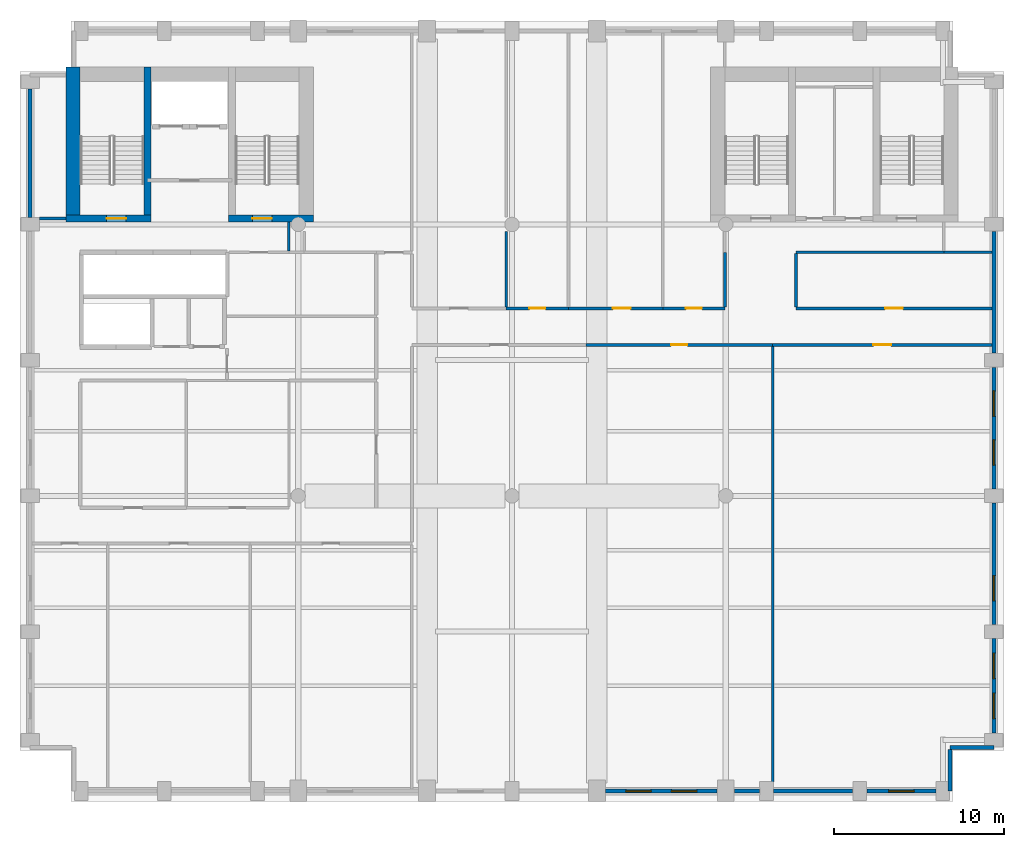
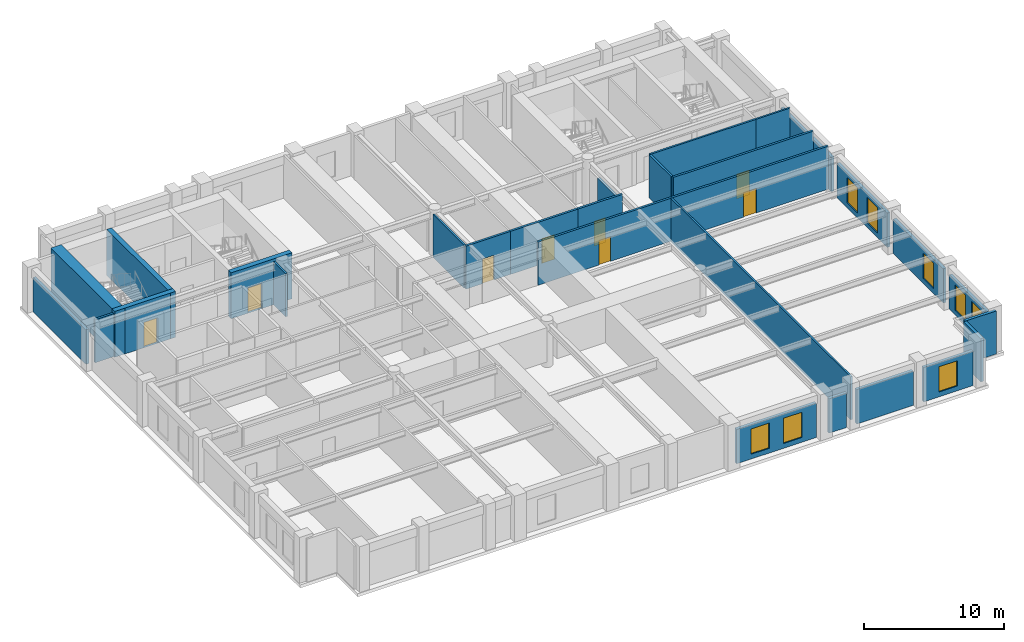
# One storey, part 4 of 8: 29 walls, 8 doors, 8 windows, 16 openings.
"""IFC4 building model written with IfcOpenShell, lengths in metres."""

from ifc_helpers import new_model, si_unit, direction, frame, frame_2d, origin, place, context, subcontext, project, spatial, rectangle, extrude, material, layer, layer_set, type_object, element, fill, save


model = new_model("IFC4")

# Units and contexts
model_context = context("Model", 3, precision=1e-05, world=origin(), true_north=direction((0.0, 1.0)))
body_context = subcontext(model_context, "Body", "Model", "MODEL_VIEW")
ifc_project = project(units=[si_unit("LENGTHUNIT", "METRE"), si_unit("AREAUNIT", "SQUARE_METRE"), si_unit("VOLUMEUNIT", "CUBIC_METRE"), si_unit("PLANEANGLEUNIT", "RADIAN"), si_unit("MASSUNIT", "GRAM", prefix="KILO")], contexts=[model_context])

# Site, building, storey
site_placement = place(None, origin())
site = spatial("IfcSite", under=ifc_project, at=site_placement, CompositionType="ELEMENT")
building_placement = place(site_placement, origin())
building = spatial("IfcBuilding", under=site, at=building_placement, Name="Sulina Concourse Tower", CompositionType="ELEMENT")
storey_placement = place(building_placement, frame((0.0, 0.0, 178.60009765625)))
storey = spatial("IfcBuildingStorey", under=building, at=storey_placement, Name="L43", CompositionType="ELEMENT", Elevation=178.60009765625)

# Wall, openings, windows
ifc_material_1 = material(Name="Precast concrete C50/60", Category="concrete")
ifc_layer_1 = layer(ifc_material_1, 0.239990234375)
ifc_layer_set_1 = layer_set([ifc_layer_1], Name="Precast concrete C50/60")
wall_type_1 = type_object("IfcWallType", Name="Crown Precast Masonry-Frame Facade Wall 240mm", PredefinedType="SOLIDWALL", material=ifc_layer_set_1)
wall_1_placement = place(storey_placement, frame((41.080078125, 0.60009765625, 0.0), z_axis=(0.0, 0.0, 1.0), x_axis=(-1.0, 0.0, 0.0)))
wall_1 = element("IfcWall", 1, at=wall_1_placement, inside=storey, type_object=wall_type_1, Name="L43 exterior precast wall S7", PredefinedType="SOLIDWALL", context=body_context, shape_type="SweptSolid", body=[
    extrude(rectangle(XDim=6.56005859375, YDim=0.239990234375, at=frame_2d((3.280029296875, 0.0))), origin(), (0.0, 0.0, 1.0), 3.0),
])
opening_1_placement = place(wall_1_placement, frame((1.186767578125, 0.0, 0.419921875)))
opening_1 = element("IfcOpeningElement", 2, at=opening_1_placement, cuts=wall_1, Name="Opening WN-71", PredefinedType="OPENING", context=body_context, shape_type="SweptSolid", body=[
    extrude(rectangle(XDim=1.5, YDim=2.199951171875, at=frame_2d((0.75, 1.10009765625))), frame((0.0, 0.1298828125, 0.0), z_axis=(0.0, -1.0, 0.0), x_axis=(1.0, 0.0, 0.0)), (0.0, 0.0, 1.0), 0.260009765625),
])
opening_2_placement = place(wall_1_placement, frame((3.873291015625, 0.0, 0.419921875)))
opening_2 = element("IfcOpeningElement", 3, at=opening_2_placement, cuts=wall_1, Name="Opening WN-71", PredefinedType="OPENING", context=body_context, shape_type="SweptSolid", body=[
    extrude(rectangle(XDim=1.5, YDim=2.199951171875, at=frame_2d((0.75, 1.10009765625))), frame((0.0, 0.1298828125, 0.0), z_axis=(0.0, -1.0, 0.0), x_axis=(1.0, 0.0, 0.0)), (0.0, 0.0, 1.0), 0.260009765625),
])
ifc_material_2 = material(Name="Low-E solar double glazing in bronze aluminium", Category="aluminium")
window_type = type_object("IfcWindowType", Name="Punched Masonry-Frame Window 1500x2200", PartitioningType="SINGLE_PANEL", PredefinedType="WINDOW", material=ifc_material_2)
window_1_placement = place(opening_1_placement, origin())
window_1 = element("IfcWindow", 4, at=window_1_placement, inside=storey, type_object=window_type, Name="L43 punched window S7-1", OverallHeight=2.199951171875, OverallWidth=1.5, PartitioningType="SINGLE_PANEL", PredefinedType="WINDOW", context=body_context, shape_type="SweptSolid", body=[
    extrude(rectangle(XDim=1.5, YDim=2.199951171875, at=frame_2d((0.75, 1.10009765625))), frame((0.0, 0.030029296875, 0.0), z_axis=(0.0, -1.0, 0.0), x_axis=(1.0, 0.0, 0.0)), (0.0, 0.0, 1.0), 0.06005859375),
])
fill(opening_1, window_1)
window_2_placement = place(opening_2_placement, origin())
window_2 = element("IfcWindow", 5, at=window_2_placement, inside=storey, type_object=window_type, Name="L43 punched window S7-2", OverallHeight=2.199951171875, OverallWidth=1.5, PartitioningType="SINGLE_PANEL", PredefinedType="WINDOW", context=body_context, shape_type="SweptSolid", body=[
    extrude(rectangle(XDim=1.5, YDim=2.199951171875, at=frame_2d((0.75, 1.10009765625))), frame((0.0, 0.030029296875, 0.0), z_axis=(0.0, -1.0, 0.0), x_axis=(1.0, 0.0, 0.0)), (0.0, 0.0, 1.0), 0.06005859375),
])
fill(opening_2, window_2)

# Walls
wall_2_placement = place(storey_placement, frame((43.580078125, 0.60009765625, 0.0), z_axis=(0.0, 0.0, 1.0), x_axis=(-1.0, 0.0, 0.0)))
element("IfcWall", 6, at=wall_2_placement, inside=storey, type_object=wall_type_1, Name="L43 exterior precast wall S8", PredefinedType="SOLIDWALL", context=body_context, shape_type="SweptSolid", body=[
    extrude(rectangle(XDim=1.4599609375, YDim=0.239990234375, at=frame_2d((0.72998046875, 0.0))), origin(), (0.0, 0.0, 1.0), 3.0),
])
wall_3_placement = place(storey_placement, frame((49.080078125, 0.60009765625, 0.0), z_axis=(0.0, 0.0, 1.0), x_axis=(-1.0, 0.0, 0.0)))
element("IfcWall", 7, at=wall_3_placement, inside=storey, type_object=wall_type_1, Name="L43 exterior precast wall S9", PredefinedType="SOLIDWALL", context=body_context, shape_type="SweptSolid", body=[
    extrude(rectangle(XDim=4.66015625, YDim=0.239990234375, at=frame_2d((2.330078125, 0.0))), origin(), (0.0, 0.0, 1.0), 3.0),
])

# Wall, opening, window
wall_4_placement = place(storey_placement, frame((53.97998046875, 0.60009765625, 0.0), z_axis=(0.0, 0.0, 1.0), x_axis=(-1.0, 0.0, 0.0)))
wall_4 = element("IfcWall", 8, at=wall_4_placement, inside=storey, type_object=wall_type_1, Name="L43 exterior precast wall S10", PredefinedType="SOLIDWALL", context=body_context, shape_type="SweptSolid", body=[
    extrude(rectangle(XDim=4.06005859375, YDim=0.239990234375, at=frame_2d((2.030029296875, 0.0))), origin(), (0.0, 0.0, 1.0), 3.0),
])
opening_3_placement = place(wall_4_placement, frame((1.280029296875, 0.0, 0.419921875)))
opening_3 = element("IfcOpeningElement", 9, at=opening_3_placement, cuts=wall_4, Name="Opening WN-71", PredefinedType="OPENING", context=body_context, shape_type="SweptSolid", body=[
    extrude(rectangle(XDim=1.5, YDim=2.199951171875, at=frame_2d((0.75, 1.10009765625))), frame((0.0, 0.1298828125, 0.0), z_axis=(0.0, -1.0, 0.0), x_axis=(1.0, 0.0, 0.0)), (0.0, 0.0, 1.0), 0.260009765625),
])
window_3_placement = place(opening_3_placement, origin())
window_3 = element("IfcWindow", 10, at=window_3_placement, inside=storey, type_object=window_type, Name="L43 punched window S10-1", OverallHeight=2.199951171875, OverallWidth=1.5, PartitioningType="SINGLE_PANEL", PredefinedType="WINDOW", context=body_context, shape_type="SweptSolid", body=[
    extrude(rectangle(XDim=1.5, YDim=2.199951171875, at=frame_2d((0.75, 1.10009765625))), frame((0.0, 0.030029296875, 0.0), z_axis=(0.0, -1.0, 0.0), x_axis=(1.0, 0.0, 0.0)), (0.0, 0.0, 1.0), 0.06005859375),
])
fill(opening_3, window_3)

# Wall
wall_5_placement = place(storey_placement, frame((0.60009765625, 34.419921875, 0.0), z_axis=(0.0, 0.0, 1.0), x_axis=(0.0, 1.0, 0.0)))
element("IfcWall", 11, at=wall_5_placement, inside=storey, type_object=wall_type_1, Name="L43 exterior precast wall W5", PredefinedType="SOLIDWALL", context=body_context, shape_type="SweptSolid", body=[
    extrude(rectangle(XDim=7.56005859375, YDim=0.239990234375, at=frame_2d((3.780029296875, 0.0))), origin(), (0.0, 0.0, 1.0), 3.0),
])

# Wall, openings, windows
wall_6_placement = place(storey_placement, frame((57.39990234375, 9.580078125, 0.0), z_axis=(0.0, 0.0, 1.0), x_axis=(0.0, -1.0, 0.0)))
wall_6 = element("IfcWall", 12, at=wall_6_placement, inside=storey, type_object=wall_type_1, Name="L43 exterior precast wall E1", PredefinedType="SOLIDWALL", context=body_context, shape_type="SweptSolid", body=[
    extrude(rectangle(XDim=5.56005859375, YDim=0.239990234375, at=frame_2d((2.780029296875, 0.0))), origin(), (0.0, 0.0, 1.0), 3.0),
])
opening_4_placement = place(wall_6_placement, frame((0.853271484375, 0.0, 0.419921875)))
opening_4 = element("IfcOpeningElement", 13, at=opening_4_placement, cuts=wall_6, Name="Opening WN-71", PredefinedType="OPENING", context=body_context, shape_type="SweptSolid", body=[
    extrude(rectangle(XDim=1.5, YDim=2.199951171875, at=frame_2d((0.75, 1.10009765625))), frame((0.0, 0.1298828125, 0.0), z_axis=(0.0, -1.0, 0.0), x_axis=(1.0, 0.0, 0.0)), (0.0, 0.0, 1.0), 0.260009765625),
])
opening_5_placement = place(wall_6_placement, frame((3.206787109375, 0.0, 0.419921875)))
opening_5 = element("IfcOpeningElement", 14, at=opening_5_placement, cuts=wall_6, Name="Opening WN-71", PredefinedType="OPENING", context=body_context, shape_type="SweptSolid", body=[
    extrude(rectangle(XDim=1.5, YDim=2.199951171875, at=frame_2d((0.75, 1.10009765625))), frame((0.0, 0.1298828125, 0.0), z_axis=(0.0, -1.0, 0.0), x_axis=(1.0, 0.0, 0.0)), (0.0, 0.0, 1.0), 0.260009765625),
])
window_4_placement = place(opening_4_placement, origin())
window_4 = element("IfcWindow", 15, at=window_4_placement, inside=storey, type_object=window_type, Name="L43 punched window E1-1", OverallHeight=2.199951171875, OverallWidth=1.5, PartitioningType="SINGLE_PANEL", PredefinedType="WINDOW", context=body_context, shape_type="SweptSolid", body=[
    extrude(rectangle(XDim=1.5, YDim=2.199951171875, at=frame_2d((0.75, 1.10009765625))), frame((0.0, 0.030029296875, 0.0), z_axis=(0.0, -1.0, 0.0), x_axis=(1.0, 0.0, 0.0)), (0.0, 0.0, 1.0), 0.06005859375),
])
fill(opening_4, window_4)
window_5_placement = place(opening_5_placement, origin())
window_5 = element("IfcWindow", 16, at=window_5_placement, inside=storey, type_object=window_type, Name="L43 punched window E1-2", OverallHeight=2.199951171875, OverallWidth=1.5, PartitioningType="SINGLE_PANEL", PredefinedType="WINDOW", context=body_context, shape_type="SweptSolid", body=[
    extrude(rectangle(XDim=1.5, YDim=2.199951171875, at=frame_2d((0.75, 1.10009765625))), frame((0.0, 0.030029296875, 0.0), z_axis=(0.0, -1.0, 0.0), x_axis=(1.0, 0.0, 0.0)), (0.0, 0.0, 1.0), 0.06005859375),
])
fill(opening_5, window_5)

# Wall, opening, window
wall_7_placement = place(storey_placement, frame((57.39990234375, 17.580078125, 0.0), z_axis=(0.0, 0.0, 1.0), x_axis=(0.0, -1.0, 0.0)))
wall_7 = element("IfcWall", 17, at=wall_7_placement, inside=storey, type_object=wall_type_1, Name="L43 exterior precast wall E2", PredefinedType="SOLIDWALL", context=body_context, shape_type="SweptSolid", body=[
    extrude(rectangle(XDim=7.16015625, YDim=0.239990234375, at=frame_2d((3.580078125, 0.0))), origin(), (0.0, 0.0, 1.0), 3.0),
])
opening_6_placement = place(wall_7_placement, frame((4.273193359375, 0.0, 0.419921875)))
opening_6 = element("IfcOpeningElement", 18, at=opening_6_placement, cuts=wall_7, Name="Opening WN-71", PredefinedType="OPENING", context=body_context, shape_type="SweptSolid", body=[
    extrude(rectangle(XDim=1.5, YDim=2.199951171875, at=frame_2d((0.75, 1.10009765625))), frame((0.0, 0.1298828125, 0.0), z_axis=(0.0, -1.0, 0.0), x_axis=(1.0, 0.0, 0.0)), (0.0, 0.0, 1.0), 0.260009765625),
])
window_6_placement = place(opening_6_placement, origin())
window_6 = element("IfcWindow", 19, at=window_6_placement, inside=storey, type_object=window_type, Name="L43 punched window E2-1", OverallHeight=2.199951171875, OverallWidth=1.5, PartitioningType="SINGLE_PANEL", PredefinedType="WINDOW", context=body_context, shape_type="SweptSolid", body=[
    extrude(rectangle(XDim=1.5, YDim=2.199951171875, at=frame_2d((0.75, 1.10009765625))), frame((0.0, 0.030029296875, 0.0), z_axis=(0.0, -1.0, 0.0), x_axis=(1.0, 0.0, 0.0)), (0.0, 0.0, 1.0), 0.06005859375),
])
fill(opening_6, window_6)

# Wall, openings, windows
wall_8_placement = place(storey_placement, frame((57.39990234375, 25.580078125, 0.0), z_axis=(0.0, 0.0, 1.0), x_axis=(0.0, -1.0, 0.0)))
wall_8 = element("IfcWall", 20, at=wall_8_placement, inside=storey, type_object=wall_type_1, Name="L43 exterior precast wall E3", PredefinedType="SOLIDWALL", context=body_context, shape_type="SweptSolid", body=[
    extrude(rectangle(XDim=7.16015625, YDim=0.239990234375, at=frame_2d((3.580078125, 0.0))), origin(), (0.0, 0.0, 1.0), 3.0),
])
opening_7_placement = place(wall_8_placement, frame((1.38671875, 0.0, 0.419921875)))
opening_7 = element("IfcOpeningElement", 21, at=opening_7_placement, cuts=wall_8, Name="Opening WN-71", PredefinedType="OPENING", context=body_context, shape_type="SweptSolid", body=[
    extrude(rectangle(XDim=1.5, YDim=2.199951171875, at=frame_2d((0.75, 1.10009765625))), frame((0.0, 0.1298828125, 0.0), z_axis=(0.0, -1.0, 0.0), x_axis=(1.0, 0.0, 0.0)), (0.0, 0.0, 1.0), 0.260009765625),
])
opening_8_placement = place(wall_8_placement, frame((4.273193359375, 0.0, 0.419921875)))
opening_8 = element("IfcOpeningElement", 22, at=opening_8_placement, cuts=wall_8, Name="Opening WN-71", PredefinedType="OPENING", context=body_context, shape_type="SweptSolid", body=[
    extrude(rectangle(XDim=1.5, YDim=2.199951171875, at=frame_2d((0.75, 1.10009765625))), frame((0.0, 0.1298828125, 0.0), z_axis=(0.0, -1.0, 0.0), x_axis=(1.0, 0.0, 0.0)), (0.0, 0.0, 1.0), 0.260009765625),
])
window_7_placement = place(opening_7_placement, origin())
window_7 = element("IfcWindow", 23, at=window_7_placement, inside=storey, type_object=window_type, Name="L43 punched window E3-1", OverallHeight=2.199951171875, OverallWidth=1.5, PartitioningType="SINGLE_PANEL", PredefinedType="WINDOW", context=body_context, shape_type="SweptSolid", body=[
    extrude(rectangle(XDim=1.5, YDim=2.199951171875, at=frame_2d((0.75, 1.10009765625))), frame((0.0, 0.030029296875, 0.0), z_axis=(0.0, -1.0, 0.0), x_axis=(1.0, 0.0, 0.0)), (0.0, 0.0, 1.0), 0.06005859375),
])
fill(opening_7, window_7)
window_8_placement = place(opening_8_placement, origin())
window_8 = element("IfcWindow", 24, at=window_8_placement, inside=storey, type_object=window_type, Name="L43 punched window E3-2", OverallHeight=2.199951171875, OverallWidth=1.5, PartitioningType="SINGLE_PANEL", PredefinedType="WINDOW", context=body_context, shape_type="SweptSolid", body=[
    extrude(rectangle(XDim=1.5, YDim=2.199951171875, at=frame_2d((0.75, 1.10009765625))), frame((0.0, 0.030029296875, 0.0), z_axis=(0.0, -1.0, 0.0), x_axis=(1.0, 0.0, 0.0)), (0.0, 0.0, 1.0), 0.06005859375),
])
fill(opening_8, window_8)

# Walls
wall_9_placement = place(storey_placement, frame((57.39990234375, 33.580078125, 0.0), z_axis=(0.0, 0.0, 1.0), x_axis=(0.0, -1.0, 0.0)))
element("IfcWall", 25, at=wall_9_placement, inside=storey, type_object=wall_type_1, Name="L43 exterior precast wall E4", PredefinedType="SOLIDWALL", context=body_context, shape_type="SweptSolid", body=[
    extrude(rectangle(XDim=7.16015625, YDim=0.239990234375, at=frame_2d((3.580078125, 0.0))), origin(), (0.0, 0.0, 1.0), 3.0),
])
wall_10_placement = place(storey_placement, frame((57.39990234375, 3.179931640625, 0.0), z_axis=(0.0, 0.0, 1.0), x_axis=(-1.0, 0.0, 0.0)))
element("IfcWall", 26, at=wall_10_placement, inside=storey, type_object=wall_type_1, Name="L43 exterior precast wall CSE1", PredefinedType="SOLIDWALL", context=body_context, shape_type="SweptSolid", body=[
    extrude(rectangle(XDim=2.579833984375, YDim=0.239990234375, at=frame_2d((1.2900390625, 0.0))), origin(), (0.0, 0.0, 1.0), 3.75),
])
wall_11_placement = place(storey_placement, frame((54.820068359375, 3.054931640625, 0.0), z_axis=(0.0, 0.0, 1.0), x_axis=(0.0, -1.0, 0.0)))
element("IfcWall", 27, at=wall_11_placement, inside=storey, type_object=wall_type_1, Name="L43 exterior precast wall CSE2", PredefinedType="SOLIDWALL", context=body_context, shape_type="SweptSolid", body=[
    extrude(rectangle(XDim=2.454833984375, YDim=0.239990234375, at=frame_2d((1.2275390625, 0.0))), origin(), (0.0, 0.0, 1.0), 3.75),
])
ifc_material_3 = material(Name="Gypsum board on steel stud", Category="steel")
ifc_layer_2 = layer(ifc_material_3, 0.14990234375)
ifc_layer_set_2 = layer_set([ifc_layer_2], Name="Gypsum board on steel stud")
wall_type_2 = type_object("IfcWallType", Name="Inter-Tenancy Acoustic Partition 150mm", PredefinedType="PARTITIONING", material=ifc_layer_set_2)
wall_12_placement = place(storey_placement, frame((45.75, 32.35009765625, 0.0), z_axis=(0.0, 0.0, 1.0), x_axis=(1.0, 0.0, 0.0)))
element("IfcWall", 28, at=wall_12_placement, inside=storey, type_object=wall_type_2, Name="L43 interior partition 025", PredefinedType="PARTITIONING", context=body_context, shape_type="SweptSolid", body=[
    extrude(rectangle(XDim=8.699951171875, YDim=0.14990234375, at=frame_2d((4.35009765625, 0.0))), origin(), (0.0, 0.0, 1.0), 3.75),
])
wall_13_placement = place(storey_placement, frame((54.449951171875, 32.35009765625, 0.0), z_axis=(0.0, 0.0, 1.0), x_axis=(1.0, 0.0, 0.0)))
element("IfcWall", 29, at=wall_13_placement, inside=storey, type_object=wall_type_2, Name="L43 interior partition 026", PredefinedType="PARTITIONING", context=body_context, shape_type="SweptSolid", body=[
    extrude(rectangle(XDim=2.830078125, YDim=0.14990234375, at=frame_2d((1.4150390625, 0.0))), origin(), (0.0, 0.0, 1.0), 3.75),
])
wall_14_placement = place(storey_placement, frame((15.85009765625, 32.425048828125, 0.0), z_axis=(0.0, 0.0, 1.0), x_axis=(0.0, 1.0, 0.0)))
element("IfcWall", 30, at=wall_14_placement, inside=storey, type_object=wall_type_2, Name="L43 interior partition 038", PredefinedType="PARTITIONING", context=body_context, shape_type="SweptSolid", body=[
    extrude(rectangle(XDim=1.724853515625, YDim=0.14990234375, at=frame_2d((0.8623046875, 0.0))), origin(), (0.0, 0.0, 1.0), 3.75),
])
wall_15_placement = place(storey_placement, frame((28.659912109375, 29.139892578125, 0.0), z_axis=(0.0, 0.0, 1.0), x_axis=(0.0, 1.0, 0.0)))
element("IfcWall", 31, at=wall_15_placement, inside=storey, type_object=wall_type_2, Name="L43 interior partition 048", PredefinedType="PARTITIONING", context=body_context, shape_type="SweptSolid", body=[
    extrude(rectangle(XDim=4.43505859375, YDim=0.14990234375, at=frame_2d((2.217529296875, 0.0))), origin(), (0.0, 0.0, 1.0), 3.75),
])
wall_16_placement = place(storey_placement, frame((44.360107421875, 1.14990234375, 0.0), z_axis=(0.0, 0.0, 1.0), x_axis=(0.0, 1.0, 0.0)))
element("IfcWall", 32, at=wall_16_placement, inside=storey, type_object=wall_type_2, Name="L43 interior partition 055", PredefinedType="PARTITIONING", context=body_context, shape_type="SweptSolid", body=[
    extrude(rectangle(XDim=25.66015625, YDim=0.14990234375, at=frame_2d((12.830078125, 0.0))), origin(), (0.0, 0.0, 1.0), 3.75),
])

# Wall, opening, door
ifc_material_4 = material(Name="Gypsum board on steel stud", Category="steel")
ifc_layer_3 = layer(ifc_material_4, 0.179931640625)
ifc_layer_set_3 = layer_set([ifc_layer_3], Name="Gypsum board on steel stud")
wall_type_3 = type_object("IfcWallType", Name="Protected Corridor & Riser Partition 180mm", PredefinedType="PARTITIONING", material=ifc_layer_set_3)
wall_17_placement = place(storey_placement, frame((33.360107421875, 26.89990234375, 0.0), z_axis=(0.0, 0.0, 1.0), x_axis=(1.0, 0.0, 0.0)))
wall_17 = element("IfcWall", 33, at=wall_17_placement, inside=storey, type_object=wall_type_3, Name="L43 interior partition 013", PredefinedType="PARTITIONING", context=body_context, shape_type="SweptSolid", body=[
    extrude(rectangle(XDim=11.0, YDim=0.179931640625, at=frame_2d((5.5, 0.0))), origin(), (0.0, 0.0, 1.0), 3.75),
])
opening_9_placement = place(wall_17_placement, frame((5.02490234375, 0.0, 0.0)))
opening_9 = element("IfcOpeningElement", 34, at=opening_9_placement, cuts=wall_17, Name="Opening DR-19", PredefinedType="OPENING", context=body_context, shape_type="SweptSolid", body=[
    extrude(rectangle(XDim=0.949951171875, YDim=2.14990234375, at=frame_2d((0.47509765625, 1.074951171875))), frame((0.0, 0.099853515625, 0.0), z_axis=(0.0, -1.0, 0.0), x_axis=(1.0, 0.0, 0.0)), (0.0, 0.0, 1.0), 0.199951171875),
])
ifc_material_5 = material(Name="Oak-veneered acoustic timber leaf", Category="wood")
ifc_layer_4 = layer(ifc_material_5, 0.050048828125)
ifc_layer_set_4 = layer_set([ifc_layer_4], Name="Oak-veneered acoustic timber leaf")
door_type_1 = type_object("IfcDoorType", Name="Cellular Office & Meeting Door 950x2150", OperationType="NOTDEFINED", PredefinedType="DOOR", material=ifc_layer_set_4)
door_1_placement = place(opening_9_placement, origin())
door_1 = element("IfcDoor", 35, at=door_1_placement, inside=storey, type_object=door_type_1, Name="L43 interior door L43-S05", OperationType="SINGLE_SWING_LEFT", OverallHeight=2.14990234375, OverallWidth=0.949951171875, PredefinedType="DOOR", context=body_context, shape_type="SweptSolid", body=[
    extrude(rectangle(XDim=0.949951171875, YDim=2.14990234375, at=frame_2d((0.47509765625, 1.074951171875))), frame((0.0, 0.02490234375, 0.0), z_axis=(0.0, -1.0, 0.0), x_axis=(1.0, 0.0, 0.0)), (0.0, 0.0, 1.0), 0.050048828125),
])
fill(opening_9, door_1)

wall_18_placement = place(storey_placement, frame((44.360107421875, 26.89990234375, 0.0), z_axis=(0.0, 0.0, 1.0), x_axis=(1.0, 0.0, 0.0)))
wall_18 = element("IfcWall", 36, at=wall_18_placement, inside=storey, type_object=wall_type_3, Name="L43 interior partition 014", PredefinedType="PARTITIONING", context=body_context, shape_type="SweptSolid", body=[
    extrude(rectangle(XDim=12.919921875, YDim=0.179931640625, at=frame_2d((6.4599609375, 0.0))), origin(), (0.0, 0.0, 1.0), 3.75),
])
opening_10_placement = place(wall_18_placement, frame((5.93505859375, 0.0, 0.0)))
opening_10 = element("IfcOpeningElement", 37, at=opening_10_placement, cuts=wall_18, Name="Opening DR-37", PredefinedType="OPENING", context=body_context, shape_type="SweptSolid", body=[
    extrude(rectangle(XDim=1.050048828125, YDim=2.14990234375, at=frame_2d((0.52490234375, 1.074951171875))), frame((0.0, 0.099853515625, 0.0), z_axis=(0.0, -1.0, 0.0), x_axis=(1.0, 0.0, 0.0)), (0.0, 0.0, 1.0), 0.199951171875),
])
ifc_material_6 = material(Name="Oak-veneered fire door leaf")
ifc_layer_5 = layer(ifc_material_6, 0.050048828125)
ifc_layer_set_5 = layer_set([ifc_layer_5], Name="Oak-veneered fire door leaf")
door_type_2 = type_object("IfcDoorType", Name="Tenant Suite Entrance Fire Door 1050x2150", OperationType="NOTDEFINED", PredefinedType="DOOR", material=ifc_layer_set_5)
door_2_placement = place(opening_10_placement, origin())
door_2 = element("IfcDoor", 38, at=door_2_placement, inside=storey, type_object=door_type_2, Name="L43 interior door L43-S06", OperationType="SINGLE_SWING_RIGHT", OverallHeight=2.14990234375, OverallWidth=1.050048828125, PredefinedType="DOOR", context=body_context, shape_type="SweptSolid", body=[
    extrude(rectangle(XDim=1.050048828125, YDim=2.14990234375, at=frame_2d((0.52490234375, 1.074951171875))), frame((0.0, 0.02490234375, 0.0), z_axis=(0.0, -1.0, 0.0), x_axis=(1.0, 0.0, 0.0)), (0.0, 0.0, 1.0), 0.050048828125),
])
fill(opening_10, door_2)

wall_19_placement = place(storey_placement, frame((28.659912109375, 29.050048828125, 0.0), z_axis=(0.0, 0.0, 1.0), x_axis=(1.0, 0.0, 0.0)))
wall_19 = element("IfcWall", 39, at=wall_19_placement, inside=storey, type_object=wall_type_3, Name="L43 interior partition 017", PredefinedType="PARTITIONING", context=body_context, shape_type="SweptSolid", body=[
    extrude(rectangle(XDim=3.670166015625, YDim=0.179931640625, at=frame_2d((1.8349609375, 0.0))), origin(), (0.0, 0.0, 1.0), 3.75),
])
opening_11_placement = place(wall_19_placement, frame((1.360107421875, 0.0, 0.0)))
opening_11 = element("IfcOpeningElement", 40, at=opening_11_placement, cuts=wall_19, Name="Opening DR-19", PredefinedType="OPENING", context=body_context, shape_type="SweptSolid", body=[
    extrude(rectangle(XDim=0.949951171875, YDim=2.14990234375, at=frame_2d((0.47509765625, 1.074951171875))), frame((0.0, 0.099853515625, 0.0), z_axis=(0.0, -1.0, 0.0), x_axis=(1.0, 0.0, 0.0)), (0.0, 0.0, 1.0), 0.199951171875),
])
door_3_placement = place(opening_11_placement, origin())
door_3 = element("IfcDoor", 41, at=door_3_placement, inside=storey, type_object=door_type_1, Name="L43 interior door L43-NC2", OperationType="SINGLE_SWING_RIGHT", OverallHeight=2.14990234375, OverallWidth=0.949951171875, PredefinedType="DOOR", context=body_context, shape_type="SweptSolid", body=[
    extrude(rectangle(XDim=0.949951171875, YDim=2.14990234375, at=frame_2d((0.47509765625, 1.074951171875))), frame((0.0, 0.02490234375, 0.0), z_axis=(0.0, -1.0, 0.0), x_axis=(1.0, 0.0, 0.0)), (0.0, 0.0, 1.0), 0.050048828125),
])
fill(opening_11, door_3)

wall_20_placement = place(storey_placement, frame((32.330078125, 29.050048828125, 0.0), z_axis=(0.0, 0.0, 1.0), x_axis=(1.0, 0.0, 0.0)))
wall_20 = element("IfcWall", 42, at=wall_20_placement, inside=storey, type_object=wall_type_3, Name="L43 interior partition 018", PredefinedType="PARTITIONING", context=body_context, shape_type="SweptSolid", body=[
    extrude(rectangle(XDim=5.559814453125, YDim=0.179931640625, at=frame_2d((2.77978515625, 0.0))), origin(), (0.0, 0.0, 1.0), 3.75),
])
opening_12_placement = place(wall_20_placement, frame((2.614990234375, 0.0, 0.0)))
opening_12 = element("IfcOpeningElement", 43, at=opening_12_placement, cuts=wall_20, Name="Opening DR-37", PredefinedType="OPENING", context=body_context, shape_type="SweptSolid", body=[
    extrude(rectangle(XDim=1.050048828125, YDim=2.14990234375, at=frame_2d((0.52490234375, 1.074951171875))), frame((0.0, 0.099853515625, 0.0), z_axis=(0.0, -1.0, 0.0), x_axis=(1.0, 0.0, 0.0)), (0.0, 0.0, 1.0), 0.199951171875),
])
door_4_placement = place(opening_12_placement, origin())
door_4 = element("IfcDoor", 44, at=door_4_placement, inside=storey, type_object=door_type_2, Name="L43 interior door L43-NC3", OperationType="SINGLE_SWING_LEFT", OverallHeight=2.14990234375, OverallWidth=1.050048828125, PredefinedType="DOOR", context=body_context, shape_type="SweptSolid", body=[
    extrude(rectangle(XDim=1.050048828125, YDim=2.14990234375, at=frame_2d((0.52490234375, 1.074951171875))), frame((0.0, 0.02490234375, 0.0), z_axis=(0.0, -1.0, 0.0), x_axis=(1.0, 0.0, 0.0)), (0.0, 0.0, 1.0), 0.050048828125),
])
fill(opening_12, door_4)

wall_21_placement = place(storey_placement, frame((37.889892578125, 29.050048828125, 0.0), z_axis=(0.0, 0.0, 1.0), x_axis=(1.0, 0.0, 0.0)))
wall_21 = element("IfcWall", 45, at=wall_21_placement, inside=storey, type_object=wall_type_3, Name="L43 interior partition 019", PredefinedType="PARTITIONING", context=body_context, shape_type="SweptSolid", body=[
    extrude(rectangle(XDim=3.66015625, YDim=0.179931640625, at=frame_2d((1.830078125, 0.0))), origin(), (0.0, 0.0, 1.0), 3.75),
])
opening_13_placement = place(wall_21_placement, frame((1.35498046875, 0.0, 0.0)))
opening_13 = element("IfcOpeningElement", 46, at=opening_13_placement, cuts=wall_21, Name="Opening DR-19", PredefinedType="OPENING", context=body_context, shape_type="SweptSolid", body=[
    extrude(rectangle(XDim=0.949951171875, YDim=2.14990234375, at=frame_2d((0.47509765625, 1.074951171875))), frame((0.0, 0.099853515625, 0.0), z_axis=(0.0, -1.0, 0.0), x_axis=(1.0, 0.0, 0.0)), (0.0, 0.0, 1.0), 0.199951171875),
])
door_5_placement = place(opening_13_placement, origin())
door_5 = element("IfcDoor", 47, at=door_5_placement, inside=storey, type_object=door_type_1, Name="L43 interior door L43-NC4", OperationType="SINGLE_SWING_RIGHT", OverallHeight=2.14990234375, OverallWidth=0.949951171875, PredefinedType="DOOR", context=body_context, shape_type="SweptSolid", body=[
    extrude(rectangle(XDim=0.949951171875, YDim=2.14990234375, at=frame_2d((0.47509765625, 1.074951171875))), frame((0.0, 0.02490234375, 0.0), z_axis=(0.0, -1.0, 0.0), x_axis=(1.0, 0.0, 0.0)), (0.0, 0.0, 1.0), 0.050048828125),
])
fill(opening_13, door_5)

wall_22_placement = place(storey_placement, frame((45.75, 29.050048828125, 0.0), z_axis=(0.0, 0.0, 1.0), x_axis=(1.0, 0.0, 0.0)))
wall_22 = element("IfcWall", 48, at=wall_22_placement, inside=storey, type_object=wall_type_3, Name="L43 interior partition 020", PredefinedType="PARTITIONING", context=body_context, shape_type="SweptSolid", body=[
    extrude(rectangle(XDim=11.530029296875, YDim=0.179931640625, at=frame_2d((5.76513671875, 0.0))), origin(), (0.0, 0.0, 1.0), 3.75),
])
opening_14_placement = place(wall_22_placement, frame((5.239990234375, 0.0, 0.0)))
opening_14 = element("IfcOpeningElement", 49, at=opening_14_placement, cuts=wall_22, Name="Opening DR-37", PredefinedType="OPENING", context=body_context, shape_type="SweptSolid", body=[
    extrude(rectangle(XDim=1.050048828125, YDim=2.14990234375, at=frame_2d((0.52490234375, 1.074951171875))), frame((0.0, 0.099853515625, 0.0), z_axis=(0.0, -1.0, 0.0), x_axis=(1.0, 0.0, 0.0)), (0.0, 0.0, 1.0), 0.199951171875),
])
door_6_placement = place(opening_14_placement, origin())
door_6 = element("IfcDoor", 50, at=door_6_placement, inside=storey, type_object=door_type_2, Name="L43 interior door L43-NE1", OperationType="SINGLE_SWING_LEFT", OverallHeight=2.14990234375, OverallWidth=1.050048828125, PredefinedType="DOOR", context=body_context, shape_type="SweptSolid", body=[
    extrude(rectangle(XDim=1.050048828125, YDim=2.14990234375, at=frame_2d((0.52490234375, 1.074951171875))), frame((0.0, 0.02490234375, 0.0), z_axis=(0.0, -1.0, 0.0), x_axis=(1.0, 0.0, 0.0)), (0.0, 0.0, 1.0), 0.050048828125),
])
fill(opening_14, door_6)

# Walls
wall_23_placement = place(storey_placement, frame((1.14990234375, 34.35009765625, 0.0), z_axis=(0.0, 0.0, 1.0), x_axis=(1.0, 0.0, 0.0)))
element("IfcWall", 51, at=wall_23_placement, inside=storey, type_object=wall_type_3, Name="L43 interior partition 027", PredefinedType="PARTITIONING", context=body_context, shape_type="SweptSolid", body=[
    extrude(rectangle(XDim=1.550048828125, YDim=0.179931640625, at=frame_2d((0.77490234375, 0.0))), origin(), (0.0, 0.0, 1.0), 3.75),
])
wall_24_placement = place(storey_placement, frame((41.550048828125, 29.139892578125, 0.0), z_axis=(0.0, 0.0, 1.0), x_axis=(0.0, 1.0, 0.0)))
element("IfcWall", 52, at=wall_24_placement, inside=storey, type_object=wall_type_3, Name="L43 interior partition 052", PredefinedType="PARTITIONING", context=body_context, shape_type="SweptSolid", body=[
    extrude(rectangle(XDim=3.210205078125, YDim=0.179931640625, at=frame_2d((1.60498046875, 0.0))), origin(), (0.0, 0.0, 1.0), 3.14501953125),
])
wall_25_placement = place(storey_placement, frame((45.75, 29.139892578125, 0.0), z_axis=(0.0, 0.0, 1.0), x_axis=(0.0, 1.0, 0.0)))
element("IfcWall", 53, at=wall_25_placement, inside=storey, type_object=wall_type_3, Name="L43 interior partition 056", PredefinedType="PARTITIONING", context=body_context, shape_type="SweptSolid", body=[
    extrude(rectangle(XDim=3.135009765625, YDim=0.179931640625, at=frame_2d((1.5673828125, 0.0))), origin(), (0.0, 0.0, 1.0), 3.75),
])

# Wall, opening, door
ifc_material_7 = material(Name="Concrete C60/75", Category="concrete")
ifc_layer_6 = layer(ifc_material_7, 0.39990234375)
ifc_layer_set_6 = layer_set([ifc_layer_6], Name="Concrete C60/75")
wall_type_4 = type_object("IfcWallType", Name="Protected Stair Core Shear Wall 400mm", PredefinedType="SHEAR", material=ifc_layer_set_6)
wall_26_placement = place(storey_placement, frame((2.699951171875, 34.35009765625, 0.0), z_axis=(0.0, 0.0, 1.0), x_axis=(1.0, 0.0, 0.0)))
wall_26 = element("IfcWall", 54, at=wall_26_placement, inside=storey, type_object=wall_type_4, Name="L43 west core shear wall CW-WS1", PredefinedType="SHEAR", context=body_context, shape_type="SweptSolid", body=[
    extrude(rectangle(XDim=5.010009765625, YDim=0.39990234375, at=frame_2d((2.5048828125, 0.0))), origin(), (0.0, 0.0, 1.0), 4.0),
])
opening_15_placement = place(wall_26_placement, frame((2.39990234375, 0.0, 0.0)))
opening_15 = element("IfcOpeningElement", 55, at=opening_15_placement, cuts=wall_26, Name="Opening DR-60", PredefinedType="OPENING", context=body_context, shape_type="SweptSolid", body=[
    extrude(rectangle(XDim=1.14990234375, YDim=2.199951171875, at=frame_2d((0.574951171875, 1.10009765625))), frame((0.0, 0.2099609375, 0.0), z_axis=(0.0, -1.0, 0.0), x_axis=(1.0, 0.0, 0.0)), (0.0, 0.0, 1.0), 0.419921875),
])
ifc_material_8 = material(Name="Galvanised steel acoustic fire leaf", Category="steel")
ifc_layer_7 = layer(ifc_material_8, 0.054931640625)
ifc_layer_set_7 = layer_set([ifc_layer_7], Name="Galvanised steel acoustic fire leaf")
door_type_3 = type_object("IfcDoorType", Name="Protected Exit Stair Fire Door 1150x2200", OperationType="NOTDEFINED", PredefinedType="DOOR", material=ifc_layer_set_7)
door_7_placement = place(opening_15_placement, origin())
door_7 = element("IfcDoor", 56, at=door_7_placement, inside=storey, type_object=door_type_3, Name="L43 stair ST-1 lobby fire door", OperationType="SINGLE_SWING_RIGHT", OverallHeight=2.199951171875, OverallWidth=1.14990234375, PredefinedType="DOOR", context=body_context, shape_type="SweptSolid", body=[
    extrude(rectangle(XDim=1.14990234375, YDim=2.199951171875, at=frame_2d((0.574951171875, 1.10009765625))), frame((0.0, 0.02490234375, 0.0), z_axis=(0.0, -1.0, 0.0), x_axis=(1.0, 0.0, 0.0)), (0.0, 0.0, 1.0), 0.050048828125),
])
fill(opening_15, door_7)

wall_27_placement = place(storey_placement, frame((12.2900390625, 34.35009765625, 0.0), z_axis=(0.0, 0.0, 1.0), x_axis=(1.0, 0.0, 0.0)))
wall_27 = element("IfcWall", 57, at=wall_27_placement, inside=storey, type_object=wall_type_4, Name="L43 west core shear wall CW-WS2", PredefinedType="SHEAR", context=body_context, shape_type="SweptSolid", body=[
    extrude(rectangle(XDim=5.010009765625, YDim=0.39990234375, at=frame_2d((2.5048828125, 0.0))), origin(), (0.0, 0.0, 1.0), 4.0),
])
opening_16_placement = place(wall_27_placement, frame((1.39990234375, 0.0, 0.0)))
opening_16 = element("IfcOpeningElement", 58, at=opening_16_placement, cuts=wall_27, Name="Opening DR-60", PredefinedType="OPENING", context=body_context, shape_type="SweptSolid", body=[
    extrude(rectangle(XDim=1.14990234375, YDim=2.199951171875, at=frame_2d((0.574951171875, 1.10009765625))), frame((0.0, 0.2099609375, 0.0), z_axis=(0.0, -1.0, 0.0), x_axis=(1.0, 0.0, 0.0)), (0.0, 0.0, 1.0), 0.419921875),
])
door_8_placement = place(opening_16_placement, origin())
door_8 = element("IfcDoor", 59, at=door_8_placement, inside=storey, type_object=door_type_3, Name="L43 stair ST-2 lobby fire door", OperationType="SINGLE_SWING_LEFT", OverallHeight=2.199951171875, OverallWidth=1.14990234375, PredefinedType="DOOR", context=body_context, shape_type="SweptSolid", body=[
    extrude(rectangle(XDim=1.14990234375, YDim=2.199951171875, at=frame_2d((0.574951171875, 1.10009765625))), frame((0.0, 0.02490234375, 0.0), z_axis=(0.0, -1.0, 0.0), x_axis=(1.0, 0.0, 0.0)), (0.0, 0.0, 1.0), 0.050048828125),
])
fill(opening_16, door_8)

# Walls
wall_28_placement = place(storey_placement, frame((7.510009765625, 34.14990234375, 0.0), z_axis=(0.0, 0.0, 1.0), x_axis=(0.0, 1.0, 0.0)))
element("IfcWall", 60, at=wall_28_placement, inside=storey, type_object=wall_type_4, Name="L43 west core shear wall SW-ST1", PredefinedType="SHEAR", context=body_context, shape_type="SweptSolid", body=[
    extrude(rectangle(XDim=9.130126953125, YDim=0.39990234375, at=frame_2d((4.56494140625, 0.0))), origin(), (0.0, 0.0, 1.0), 4.0),
])
ifc_material_9 = material(Name="Concrete C60/75", Category="concrete")
ifc_layer_8 = layer(ifc_material_9, 0.85009765625)
ifc_layer_set_8 = layer_set([ifc_layer_8], Name="Concrete C60/75")
wall_type_5 = type_object("IfcWallType", Name="Rear Core Shear Wall 850mm", PredefinedType="SHEAR", material=ifc_layer_set_8)
wall_29_placement = place(storey_placement, frame((3.125, 34.14990234375, 0.0), z_axis=(0.0, 0.0, 1.0), x_axis=(0.0, 1.0, 0.0)))
element("IfcWall", 61, at=wall_29_placement, inside=storey, type_object=wall_type_5, Name="L43 west core shear wall CW-WW", PredefinedType="SHEAR", context=body_context, shape_type="SweptSolid", body=[
    extrude(rectangle(XDim=9.130126953125, YDim=0.85009765625, at=frame_2d((4.56494140625, 0.0))), origin(), (0.0, 0.0, 1.0), 4.0),
])

save(model, "model.ifc")
